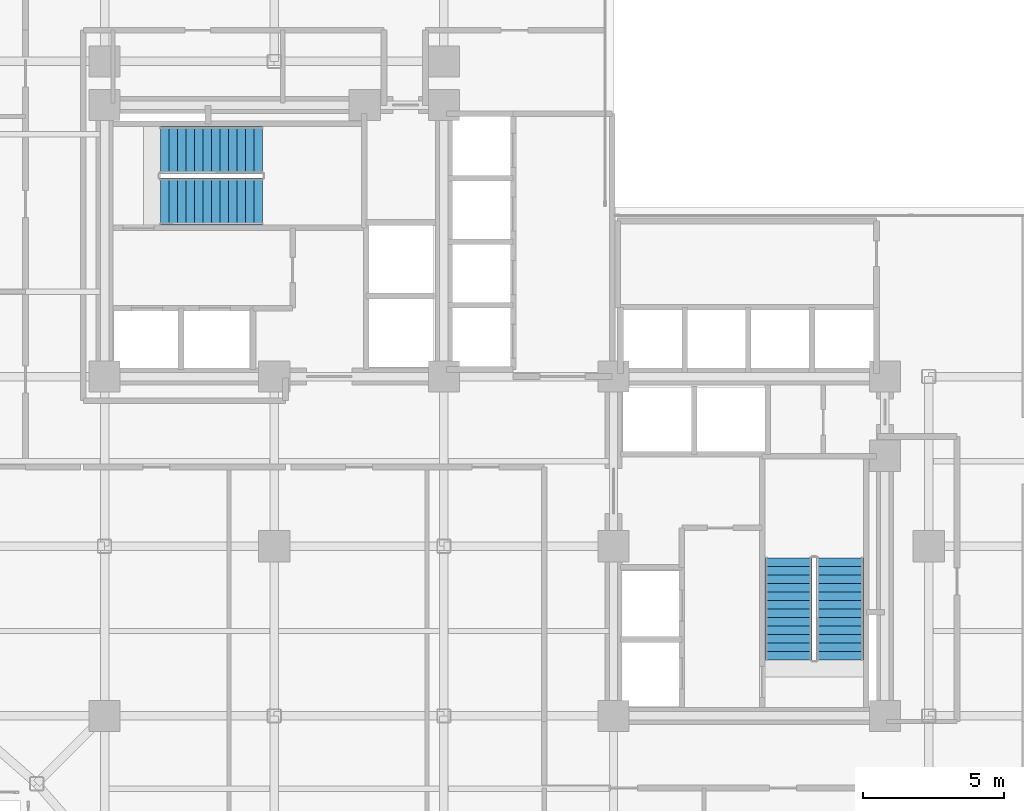
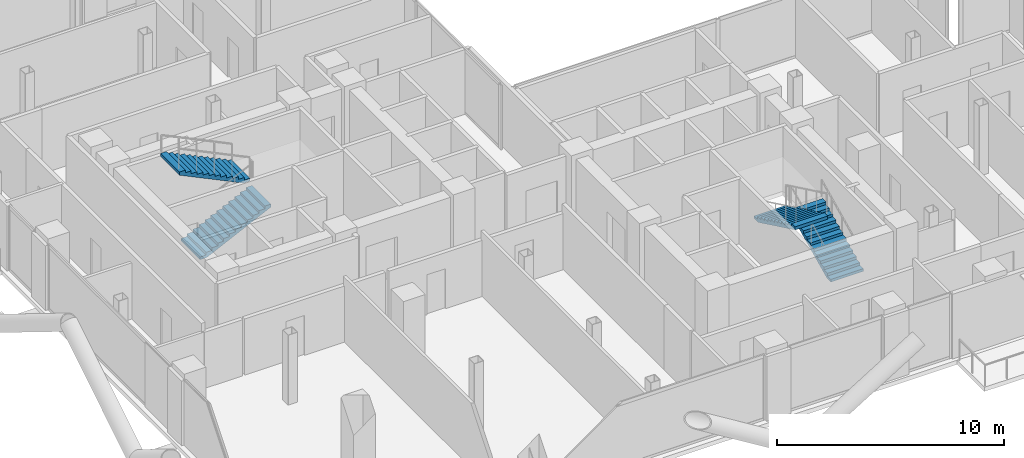
# One storey, part 25 of 28: 4 stair flights, 2 elements without a shape of their own.
"""IFC4 building model written with IfcOpenShell, lengths in metres."""

from ifc_helpers import new_model, si_unit, direction, frame, origin, place, context, subcontext, project, spatial, polyline, outline, extrude, material, type_object, element, aggregate, save


model = new_model("IFC4")

# Units and contexts
model_context = context("Model", 3, precision=1e-05, world=origin(), true_north=direction((0.0, 1.0)))
body_context = subcontext(model_context, "Body", "Model", "MODEL_VIEW")
ifc_project = project(units=[si_unit("LENGTHUNIT", "METRE"), si_unit("AREAUNIT", "SQUARE_METRE"), si_unit("VOLUMEUNIT", "CUBIC_METRE"), si_unit("PLANEANGLEUNIT", "RADIAN"), si_unit("MASSUNIT", "GRAM", prefix="KILO"), si_unit("THERMODYNAMICTEMPERATUREUNIT", "KELVIN"), si_unit("POWERUNIT", "WATT")], contexts=[model_context])

# Site, building, storey
site_placement = place(None, origin())
site = spatial("IfcSite", under=ifc_project, at=site_placement, CompositionType="ELEMENT")
building_placement = place(site_placement, origin())
building = spatial("IfcBuilding", under=site, at=building_placement, Name="Svarakhadi Broadcast Tower", CompositionType="ELEMENT")
storey_placement = place(building_placement, frame((0.0, 0.0, 107.10009765625)))
storey = spatial("IfcBuildingStorey", under=building, at=storey_placement, Name="L25", CompositionType="ELEMENT", Elevation=107.10009765625)

# Stair, stair flights
ifc_material = material(Name="Concrete C40/50 (IS 456 M50)", Category="concrete")
stair_type = type_object("IfcStairType", Name="Stair_Exit_Core", PredefinedType="HALF_TURN_STAIR", material=ifc_material)
stair_1_placement = place(storey_placement, origin())
stair_1 = element("IfcStair", 1, at=stair_1_placement, inside=storey, type_object=stair_type, Name="L25 West Core Protected Exit Stair ST-01", PredefinedType="HALF_TURN_STAIR")
stair_flight_type = type_object("IfcStairFlightType", Name="Flight_RC_1680", PredefinedType="STRAIGHT", material=ifc_material)
stair_flight_1_placement = place(storey_placement, frame((7.97998046875, 24.18994140625, 0.0), z_axis=(0.0, 0.0, 1.0), x_axis=(1.0, 0.0, 0.0)))
stair_flight_1 = element("IfcStairFlight", 2, at=stair_flight_1_placement, type_object=stair_flight_type, Name="ST-01 flight 1", NumberOfRisers=13, NumberOfTreads=12, PredefinedType="STRAIGHT", RiserHeight=0.144230769, TreadLength=0.3, context=body_context, shape_type="SweptSolid", body=[
    extrude(outline(polyline([(0.0, 0.0), (0.0, 0.144287109375), (0.300048828125, 0.144287109375), (0.300048828125, 0.28857421875), (0.60009765625, 0.28857421875), (0.60009765625, 0.4326171875), (0.89990234375, 0.4326171875), (0.89990234375, 0.576904296875), (1.199951171875, 0.576904296875), (1.199951171875, 0.72119140625), (1.5, 0.72119140625), (1.5, 0.865478515625), (1.800048828125, 0.865478515625), (1.800048828125, 1.009521484375), (2.10009765625, 1.009521484375), (2.10009765625, 1.15380859375), (2.39990234375, 1.15380859375), (2.39990234375, 1.298095703125), (2.699951171875, 1.298095703125), (2.699951171875, 1.4423828125), (3.0, 1.4423828125), (3.0, 1.58642578125), (3.300048828125, 1.58642578125), (3.300048828125, 1.730712890625), (3.60009765625, 1.730712890625), (3.60009765625, 1.875), (3.60009765625, 1.564453125), (0.345947265625, 0.0), (0.0, 0.0)])), frame((0.0, 0.830078125, 0.0), z_axis=(0.0, -1.0, 0.0), x_axis=(1.0, 0.0, 0.0)), (0.0, 0.0, 1.0), 1.659912109375),
])
stair_flight_2_placement = place(storey_placement, frame((11.580078125, 26.010009765625, 1.875), z_axis=(0.0, 0.0, 1.0), x_axis=(-1.0, 0.0, 0.0)))
stair_flight_2 = element("IfcStairFlight", 3, at=stair_flight_2_placement, type_object=stair_flight_type, Name="ST-01 flight 2", NumberOfRisers=13, NumberOfTreads=12, PredefinedType="STRAIGHT", RiserHeight=0.144230769, TreadLength=0.3, context=body_context, shape_type="SweptSolid", body=[
    extrude(outline(polyline([(0.0, 0.0), (0.0, 0.144287109375), (0.300048828125, 0.144287109375), (0.300048828125, 0.28857421875), (0.60009765625, 0.28857421875), (0.60009765625, 0.4326171875), (0.89990234375, 0.4326171875), (0.89990234375, 0.576904296875), (1.199951171875, 0.576904296875), (1.199951171875, 0.72119140625), (1.5, 0.72119140625), (1.5, 0.865478515625), (1.800048828125, 0.865478515625), (1.800048828125, 1.009521484375), (2.10009765625, 1.009521484375), (2.10009765625, 1.15380859375), (2.39990234375, 1.15380859375), (2.39990234375, 1.298095703125), (2.699951171875, 1.298095703125), (2.699951171875, 1.4423828125), (3.0, 1.4423828125), (3.0, 1.58642578125), (3.300048828125, 1.58642578125), (3.300048828125, 1.730712890625), (3.60009765625, 1.730712890625), (3.60009765625, 1.875), (3.60009765625, 1.564453125), (0.345947265625, 0.0), (0.0, 0.0)])), frame((0.0, 0.830078125, 0.0), z_axis=(0.0, -1.0, 0.0), x_axis=(1.0, 0.0, 0.0)), (0.0, 0.0, 1.0), 1.659912109375),
])
aggregate(stair_1, [stair_flight_1, stair_flight_2])

stair_2_placement = place(storey_placement, origin())
stair_2 = element("IfcStair", 4, at=stair_2_placement, inside=storey, type_object=stair_type, Name="L25 East Core Protected Exit Stair ST-02", PredefinedType="HALF_TURN_STAIR")
stair_flight_3_placement = place(storey_placement, frame((32.010009765625, 7.97998046875, 0.0), z_axis=(0.0, 0.0, 1.0), x_axis=(0.0, 1.0, 0.0)))
stair_flight_3 = element("IfcStairFlight", 5, at=stair_flight_3_placement, type_object=stair_flight_type, Name="ST-02 flight 1", NumberOfRisers=13, NumberOfTreads=12, PredefinedType="STRAIGHT", RiserHeight=0.144230769, TreadLength=0.3, context=body_context, shape_type="SweptSolid", body=[
    extrude(outline(polyline([(0.0, 0.0), (0.0, 0.144287109375), (0.300048828125, 0.144287109375), (0.300048828125, 0.28857421875), (0.60009765625, 0.28857421875), (0.60009765625, 0.4326171875), (0.89990234375, 0.4326171875), (0.89990234375, 0.576904296875), (1.199951171875, 0.576904296875), (1.199951171875, 0.72119140625), (1.5, 0.72119140625), (1.5, 0.865478515625), (1.800048828125, 0.865478515625), (1.800048828125, 1.009521484375), (2.10009765625, 1.009521484375), (2.10009765625, 1.15380859375), (2.39990234375, 1.15380859375), (2.39990234375, 1.298095703125), (2.699951171875, 1.298095703125), (2.699951171875, 1.4423828125), (3.0, 1.4423828125), (3.0, 1.58642578125), (3.300048828125, 1.58642578125), (3.300048828125, 1.730712890625), (3.60009765625, 1.730712890625), (3.60009765625, 1.875), (3.60009765625, 1.564453125), (0.345947265625, 0.0), (0.0, 0.0)])), frame((0.0, 0.830078125, 0.0), z_axis=(0.0, -1.0, 0.0), x_axis=(1.0, 0.0, 0.0)), (0.0, 0.0, 1.0), 1.659912109375),
])
stair_flight_4_placement = place(storey_placement, frame((30.18994140625, 11.580078125, 1.875), z_axis=(0.0, 0.0, 1.0), x_axis=(0.0, -1.0, 0.0)))
stair_flight_4 = element("IfcStairFlight", 6, at=stair_flight_4_placement, type_object=stair_flight_type, Name="ST-02 flight 2", NumberOfRisers=13, NumberOfTreads=12, PredefinedType="STRAIGHT", RiserHeight=0.144230769, TreadLength=0.3, context=body_context, shape_type="SweptSolid", body=[
    extrude(outline(polyline([(0.0, 0.0), (0.0, 0.144287109375), (0.300048828125, 0.144287109375), (0.300048828125, 0.28857421875), (0.60009765625, 0.28857421875), (0.60009765625, 0.4326171875), (0.89990234375, 0.4326171875), (0.89990234375, 0.576904296875), (1.199951171875, 0.576904296875), (1.199951171875, 0.72119140625), (1.5, 0.72119140625), (1.5, 0.865478515625), (1.800048828125, 0.865478515625), (1.800048828125, 1.009521484375), (2.10009765625, 1.009521484375), (2.10009765625, 1.15380859375), (2.39990234375, 1.15380859375), (2.39990234375, 1.298095703125), (2.699951171875, 1.298095703125), (2.699951171875, 1.4423828125), (3.0, 1.4423828125), (3.0, 1.58642578125), (3.300048828125, 1.58642578125), (3.300048828125, 1.730712890625), (3.60009765625, 1.730712890625), (3.60009765625, 1.875), (3.60009765625, 1.564453125), (0.345947265625, 0.0), (0.0, 0.0)])), frame((0.0, 0.830078125, 0.0), z_axis=(0.0, -1.0, 0.0), x_axis=(1.0, 0.0, 0.0)), (0.0, 0.0, 1.0), 1.659912109375),
])
aggregate(stair_2, [stair_flight_3, stair_flight_4])

save(model, "model.ifc")
